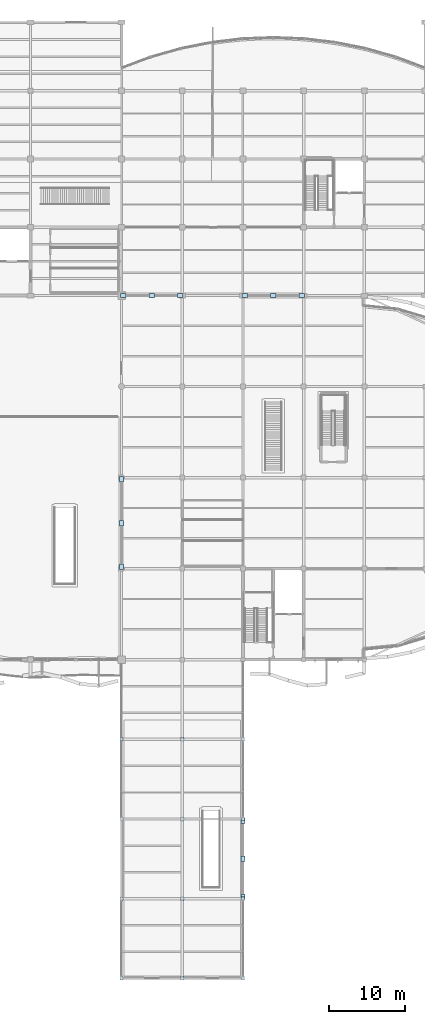
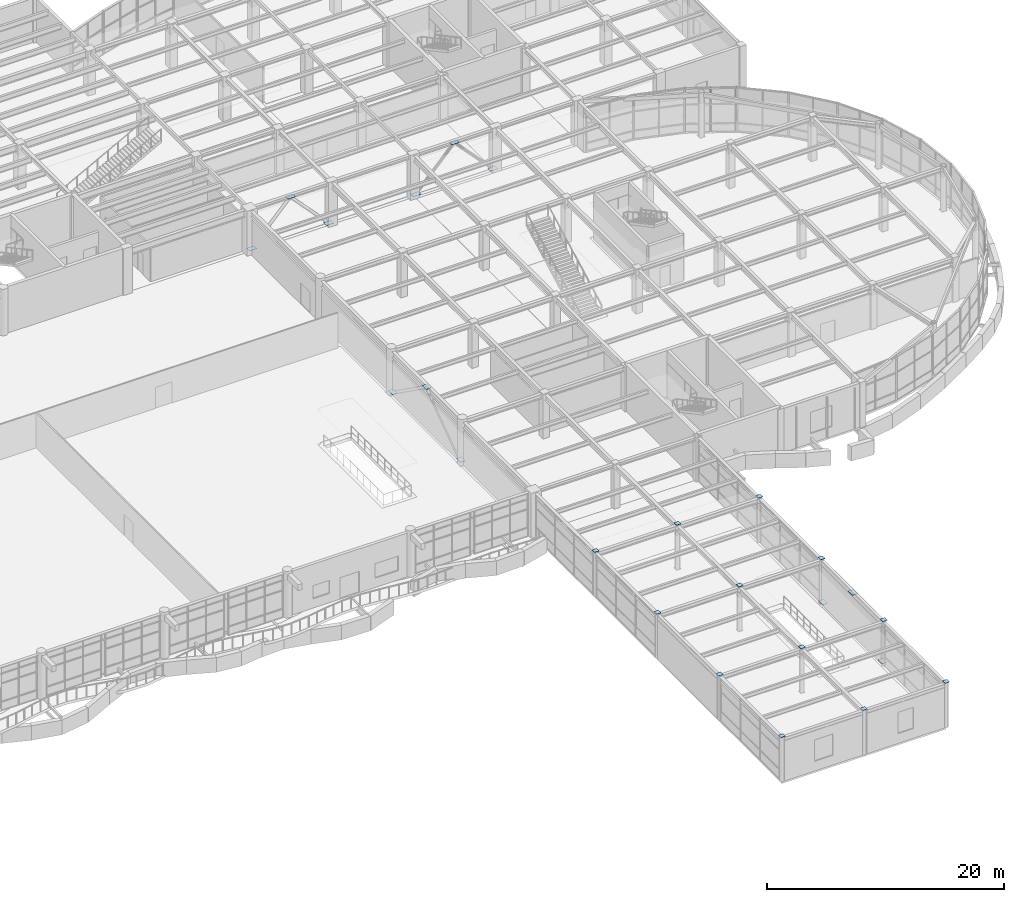
# One storey, part 46 of 72: 24 plates.
"""IFC4 building model written with IfcOpenShell, lengths in metres."""

from ifc_helpers import new_model, si_unit, direction, frame, origin, origin_2d, place, context, subcontext, project, spatial, rectangle, extrude, material, layer, layer_set, type_object, element, save


model = new_model("IFC4")

# Units and contexts
model_context = context("Model", 3, precision=1e-05, world=origin(), true_north=direction((0.0, 1.0)))
body_context = subcontext(model_context, "Body", "Model", "MODEL_VIEW")
ifc_project = project(units=[si_unit("LENGTHUNIT", "METRE"), si_unit("AREAUNIT", "SQUARE_METRE"), si_unit("VOLUMEUNIT", "CUBIC_METRE"), si_unit("PLANEANGLEUNIT", "RADIAN"), si_unit("MASSUNIT", "GRAM", prefix="KILO")], contexts=[model_context])

# Site, building, storey
site_placement = place(None, origin())
site = spatial("IfcSite", under=ifc_project, at=site_placement, CompositionType="ELEMENT")
building_placement = place(site_placement, origin())
building = spatial("IfcBuilding", under=site, at=building_placement, Name="Keelwater Ferry Terminal", CompositionType="ELEMENT")
storey_placement = place(building_placement, frame((0.0, 0.0, 5.39990234375)))
storey = spatial("IfcBuildingStorey", under=building, at=storey_placement, Name="L01", CompositionType="ELEMENT", Elevation=5.39990234375)

# Plates
ifc_material_1 = material(Name="Steel S355", Category="steel")
ifc_layer_1 = layer(ifc_material_1, 0.02490234375)
ifc_layer_set_1 = layer_set([ifc_layer_1], Name="Steel S355")
plate_type_1 = type_object("IfcPlateType", Name="CP3 440x440x25", PredefinedType="USERDEFINED", material=ifc_layer_set_1)
for number, where, z_axis, x_axis, name in (
    (1, (132.0, 0.0, 4.6396484375), (0.0, 0.0, 1.0), (1.0, 0.0, 0.0), "Column Top Cap Plate 9"),
    (2, (132.0, 10.5, 4.6396484375), (0.0, 0.0, 1.0), (1.0, 0.0, 0.0), "Column Top Cap Plate 11"),
    (3, (132.0, 21.0, 4.6396484375), (0.0, 0.0, 1.0), (1.0, 0.0, 0.0), "Column Top Cap Plate 13"),
    (4, (132.0, 31.5, 4.6396484375), (0.0, 0.0, 1.0), (1.0, 0.0, 0.0), "Column Top Cap Plate 15"),
    (5, (140.0, 0.0, 4.6396484375), (0.0, 0.0, 1.0), (1.0, 0.0, 0.0), "Column Top Cap Plate 17"),
    (6, (140.0, 10.5, 4.6396484375), (0.0, 0.0, 1.0), (1.0, 0.0, 0.0), "Column Top Cap Plate 19"),
    (7, (140.0, 21.0, 4.6396484375), (0.0, 0.0, 1.0), (1.0, 0.0, 0.0), "Column Top Cap Plate 21"),
    (8, (140.0, 31.5, 4.6396484375), (0.0, 0.0, 1.0), (1.0, 0.0, 0.0), "Column Top Cap Plate 23"),
    (9, (148.0, 0.0, 4.6396484375), (0.0, 0.0, 1.0), (1.0, 0.0, 0.0), "Column Top Cap Plate 25"),
    (10, (148.0, 10.5, 4.6396484375), (0.0, 0.0, 1.0), (1.0, 0.0, 0.0), "Column Top Cap Plate 27"),
    (11, (148.0, 21.0, 4.6396484375), (0.0, 0.0, 1.0), (1.0, 0.0, 0.0), "Column Top Cap Plate 29"),
    (12, (148.0, 31.5, 4.6396484375), (0.0, 0.0, 1.0), (1.0, 0.0, 0.0), "Column Top Cap Plate 31"),
):
    element("IfcPlate", number, at=place(storey_placement, frame(where, z_axis=z_axis, x_axis=x_axis)), inside=storey, type_object=plate_type_1, Name=name, ObjectType="GUSSET PLATE", PredefinedType="USERDEFINED", context=body_context, shape_type="SweptSolid", body=[
        extrude(rectangle(XDim=0.43994140625, YDim=0.43994140625, at=origin_2d()), origin(), (0.0, 0.0, 1.0), 0.02490234375),
    ])
ifc_material_2 = material(Name="Steel S355", Category="steel")
ifc_layer_2 = layer(ifc_material_2, 0.02490234375)
ifc_layer_set_2 = layer_set([ifc_layer_2], Name="Steel S355")
plate_type_2 = type_object("IfcPlateType", Name="GP3 720x480x25", PredefinedType="USERDEFINED", material=ifc_layer_set_2)
for number, where, z_axis, x_axis, name in (
    (13, (132.0, 60.0, 4.257568359375), (0.0, 0.0, 1.0), (0.0, 1.0, 0.0), "Connection Gusset Plate 84"),
    (14, (132.0, 54.239990234375, 0.2275390625), (0.0, 0.0, 1.0), (0.0, 1.0, 0.0), "Connection Gusset Plate 85"),
    (15, (132.0, 65.760009765625, 0.2275390625), (0.0, 0.0, 1.0), (0.0, 1.0, 0.0), "Connection Gusset Plate 86"),
    (16, (152.0, 90.0, 4.257568359375), (0.0, 0.0, 1.0), (1.0, 0.0, 0.0), "Connection Gusset Plate 96"),
    (17, (148.239990234375, 90.0, 0.2275390625), (0.0, 0.0, 1.0), (1.0, 0.0, 0.0), "Connection Gusset Plate 97"),
    (18, (155.760009765625, 90.0, 0.2275390625), (0.0, 0.0, 1.0), (1.0, 0.0, 0.0), "Connection Gusset Plate 98"),
    (19, (136.0, 90.0, 4.257568359375), (0.0, 0.0, 1.0), (1.0, 0.0, 0.0), "Connection Gusset Plate 105"),
    (20, (132.239990234375, 90.0, 0.2275390625), (0.0, 0.0, 1.0), (1.0, 0.0, 0.0), "Connection Gusset Plate 106"),
    (21, (139.760009765625, 90.0, 0.2275390625), (0.0, 0.0, 1.0), (1.0, 0.0, 0.0), "Connection Gusset Plate 107"),
    (22, (148.0, 15.75, 4.257568359375), (0.0, 0.0, 1.0), (0.0, 1.0, 0.0), "Connection Gusset Plate 141"),
    (23, (148.0, 10.739990234375, 0.2275390625), (0.0, 0.0, 1.0), (0.0, 1.0, 0.0), "Connection Gusset Plate 142"),
    (24, (148.0, 20.760009765625, 0.2275390625), (0.0, 0.0, 1.0), (0.0, 1.0, 0.0), "Connection Gusset Plate 143"),
):
    element("IfcPlate", number, at=place(storey_placement, frame(where, z_axis=z_axis, x_axis=x_axis)), inside=storey, type_object=plate_type_2, Name=name, ObjectType="GUSSET PLATE", PredefinedType="USERDEFINED", context=body_context, shape_type="SweptSolid", body=[
        extrude(rectangle(XDim=0.719970703125, YDim=0.47998046875, at=origin_2d()), origin(), (0.0, 0.0, 1.0), 0.02490234375),
    ])

save(model, "model.ifc")
